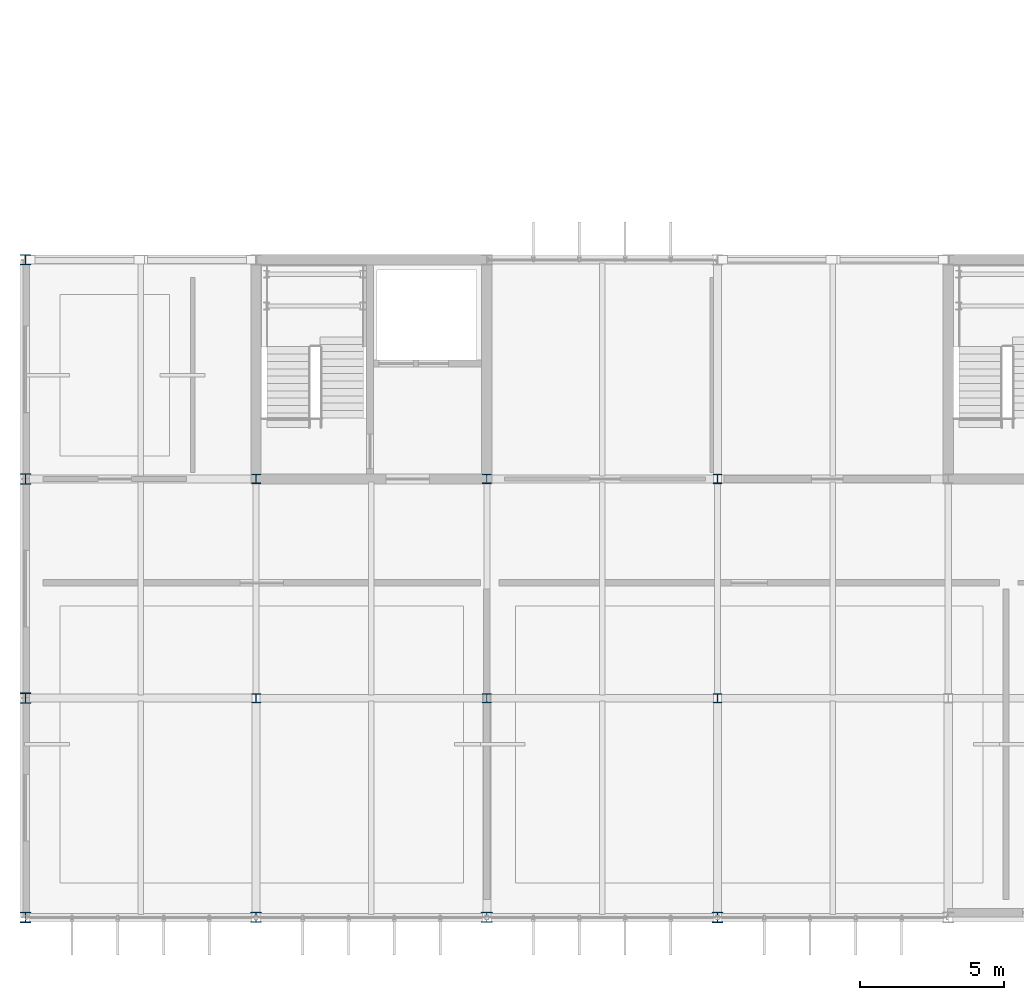
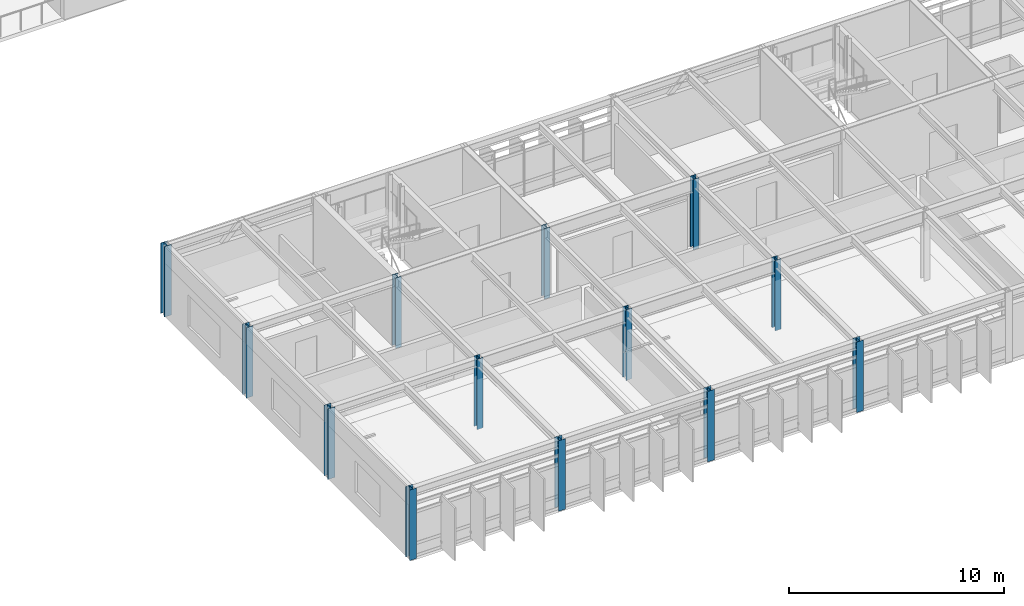
# One storey, part 1 of 33: 13 columns.
"""IFC4 building model written with IfcOpenShell, lengths in metres."""

from ifc_helpers import new_model, si_unit, direction, frame, origin, origin_2d, place, context, subcontext, project, spatial, i_section, extrude, material, material_profile, profile_set, type_object, element, save


model = new_model("IFC4")

# Units and contexts
model_context = context("Model", 3, precision=1e-05, world=origin(), true_north=direction((0.0, 1.0)))
body_context = subcontext(model_context, "Body", "Model", "MODEL_VIEW")
ifc_project = project(units=[si_unit("LENGTHUNIT", "METRE"), si_unit("AREAUNIT", "SQUARE_METRE"), si_unit("VOLUMEUNIT", "CUBIC_METRE"), si_unit("PLANEANGLEUNIT", "RADIAN"), si_unit("MASSUNIT", "GRAM", prefix="KILO")], contexts=[model_context])

# Site, building, storey
site_placement = place(None, origin())
site = spatial("IfcSite", under=ifc_project, at=site_placement, CompositionType="ELEMENT")
building_placement = place(site_placement, origin())
building = spatial("IfcBuilding", under=site, at=building_placement, Name="Zulena Civic Courthouse", CompositionType="ELEMENT")
storey_placement = place(building_placement, frame((0.0, 0.0, 33.60009765625)))
storey = spatial("IfcBuildingStorey", under=building, at=storey_placement, Name="L07", CompositionType="ELEMENT", Elevation=33.60009765625)

# Columns
ifc_material = material(Name="Steel ASTM A992 Grade 50", Category="steel")
ifc_material_profile_1 = material_profile(ifc_material, i_section(OverallWidth=0.30908203125, OverallDepth=0.322998046875, WebThickness=0.013916015625, FlangeThickness=0.02294921875, FilletRadius=0.01513671875, at=origin_2d()), Name="W12X96")
ifc_profile_set_1 = profile_set([ifc_material_profile_1], Name="Steel ASTM A992 Grade 50")
column_type_1 = type_object("IfcColumnType", Name="Col_W12X96", PredefinedType="COLUMN", material=ifc_profile_set_1)
for number, where, z_axis, x_axis, name in (
    (1, (20.0, 7.60009765625, 0.0), (0.0, 0.0, 1.0), (1.0, 0.0, 0.0), "col:V2:L07:20.0:7.6"),
    (2, (20.0, 15.199951171875, 0.0), (0.0, 0.0, 1.0), (1.0, 0.0, 0.0), "col:V2:L07:20.0:15.2"),
    (3, (28.0, 7.60009765625, 0.0), (0.0, 0.0, 1.0), (1.0, 0.0, 0.0), "col:V2:L07:28.0:7.6"),
    (4, (28.0, 15.199951171875, 0.0), (0.0, 0.0, 1.0), (1.0, 0.0, 0.0), "col:V2:L07:28.0:15.2"),
    (5, (36.0, 7.60009765625, 0.0), (0.0, 0.0, 1.0), (1.0, 0.0, 0.0), "col:V2:L07:36.0:7.6"),
    (6, (36.0, 15.199951171875, 0.0), (0.0, 0.0, 1.0), (1.0, 0.0, 0.0), "col:V2:L07:36.0:15.2"),
):
    element("IfcColumn", number, at=place(storey_placement, frame(where, z_axis=z_axis, x_axis=x_axis)), inside=storey, type_object=column_type_1, Name=name, PredefinedType="COLUMN", context=body_context, shape_type="SweptSolid", body=[
        extrude(i_section(OverallWidth=0.30908203125, OverallDepth=0.322998046875, WebThickness=0.013916015625, FlangeThickness=0.02294921875, FilletRadius=0.01513671875, at=origin_2d()), origin(), (0.0, 0.0, 1.0), 4.0),
    ])
ifc_material_profile_2 = material_profile(ifc_material, i_section(OverallWidth=0.368896484375, OverallDepth=0.35595703125, WebThickness=0.01123046875, FlangeThickness=0.01806640625, FilletRadius=0.01513671875, at=origin_2d()), Name="W14X90")
ifc_profile_set_2 = profile_set([ifc_material_profile_2], Name="Steel ASTM A992 Grade 50")
column_type_2 = type_object("IfcColumnType", Name="Col_W14X90", PredefinedType="COLUMN", material=ifc_profile_set_2)
for number, where, z_axis, x_axis, name in (
    (7, (20.0, 0.0, 0.0), (0.0, 0.0, 1.0), (1.0, 0.0, 0.0), "col:V2:L07:20.0:0.0"),
    (8, (28.0, 0.0, 0.0), (0.0, 0.0, 1.0), (1.0, 0.0, 0.0), "col:V2:L07:28.0:0.0"),
):
    element("IfcColumn", number, at=place(storey_placement, frame(where, z_axis=z_axis, x_axis=x_axis)), inside=storey, type_object=column_type_2, Name=name, PredefinedType="COLUMN", context=body_context, shape_type="SweptSolid", body=[
        extrude(i_section(OverallWidth=0.368896484375, OverallDepth=0.35595703125, WebThickness=0.01123046875, FlangeThickness=0.01806640625, FilletRadius=0.01513671875, at=origin_2d()), origin(), (0.0, 0.0, 1.0), 4.0),
    ])
ifc_material_profile_3 = material_profile(ifc_material, i_section(OverallWidth=0.3701171875, OverallDepth=0.360107421875, WebThickness=0.01220703125, FlangeThickness=0.019775390625, FilletRadius=0.01513671875, at=origin_2d()), Name="W14X99")
ifc_profile_set_3 = profile_set([ifc_material_profile_3], Name="Steel ASTM A992 Grade 50")
column_type_3 = type_object("IfcColumnType", Name="Col_W14X99", PredefinedType="COLUMN", material=ifc_profile_set_3)
for number, where, z_axis, x_axis, name in (
    (9, (12.0, 0.0, 0.0), (0.0, 0.0, 1.0), (1.0, 0.0, 0.0), "col:V2:L07:12.0:0.0"),
    (10, (12.0, 7.60009765625, 0.0), (0.0, 0.0, 1.0), (1.0, 0.0, 0.0), "col:V2:L07:12.0:7.6"),
    (11, (12.0, 15.199951171875, 0.0), (0.0, 0.0, 1.0), (1.0, 0.0, 0.0), "col:V2:L07:12.0:15.2"),
    (12, (12.0, 22.800048828125, 0.0), (0.0, 0.0, 1.0), (1.0, 0.0, 0.0), "col:V2:L07:12.0:22.8"),
    (13, (36.0, 0.0, 0.0), (0.0, 0.0, 1.0), (1.0, 0.0, 0.0), "col:V2:L07:36.0:0.0"),
):
    element("IfcColumn", number, at=place(storey_placement, frame(where, z_axis=z_axis, x_axis=x_axis)), inside=storey, type_object=column_type_3, Name=name, PredefinedType="COLUMN", context=body_context, shape_type="SweptSolid", body=[
        extrude(i_section(OverallWidth=0.3701171875, OverallDepth=0.360107421875, WebThickness=0.01220703125, FlangeThickness=0.019775390625, FilletRadius=0.01513671875, at=origin_2d()), origin(), (0.0, 0.0, 1.0), 4.0),
    ])

save(model, "model.ifc")
